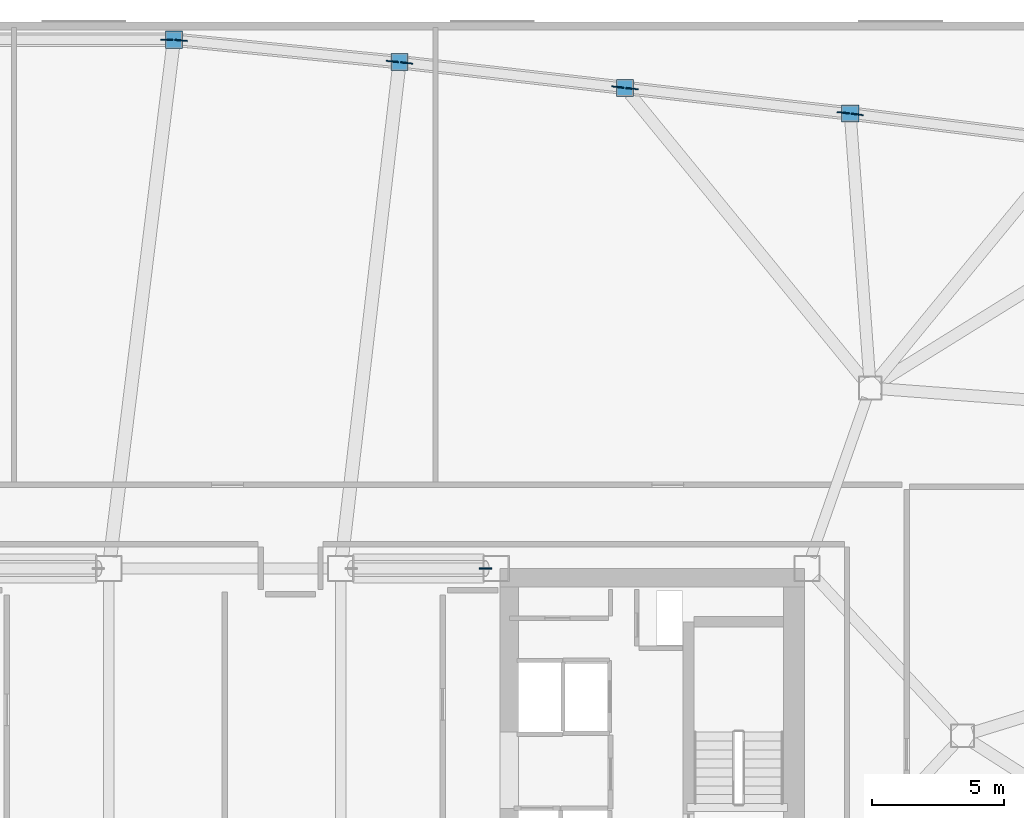
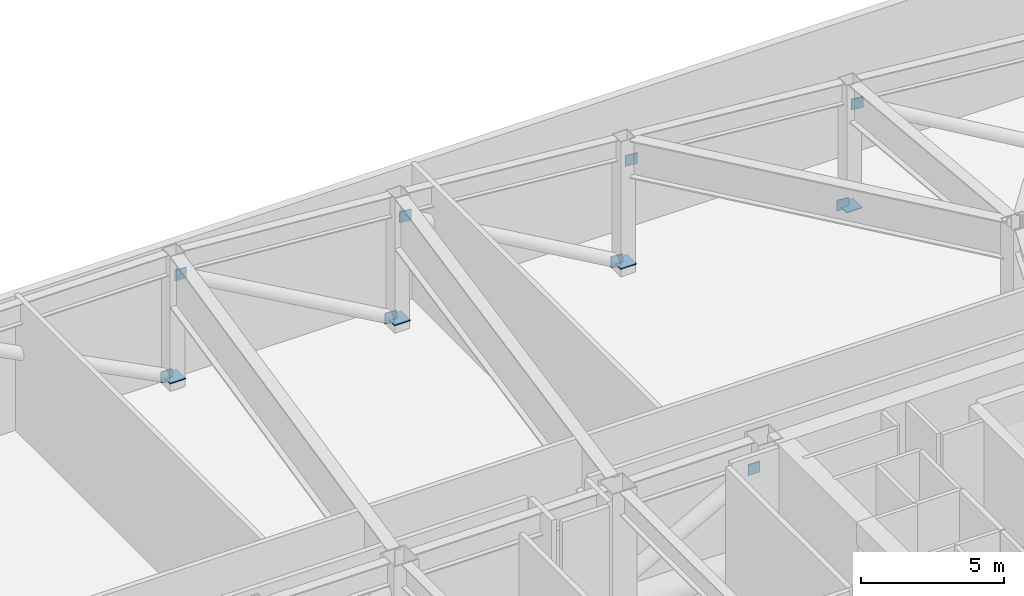
# One storey, part 10 of 12: 13 discrete accessories.
"""IFC4 building model written with IfcOpenShell, lengths in metres."""

from ifc_helpers import new_model, si_unit, direction, frame, origin, origin_2d, place, context, subcontext, project, spatial, rectangle, extrude, material, type_object, element, save


model = new_model("IFC4")

# Units and contexts
model_context = context("Model", 3, precision=1e-05, world=origin(), true_north=direction((0.0, 1.0)))
body_context = subcontext(model_context, "Body", "Model", "MODEL_VIEW")
ifc_project = project(units=[si_unit("LENGTHUNIT", "METRE"), si_unit("AREAUNIT", "SQUARE_METRE"), si_unit("VOLUMEUNIT", "CUBIC_METRE"), si_unit("PLANEANGLEUNIT", "RADIAN"), si_unit("MASSUNIT", "GRAM", prefix="KILO")], contexts=[model_context])

# Site, building, storey
site_placement = place(None, origin())
site = spatial("IfcSite", under=ifc_project, at=site_placement, CompositionType="ELEMENT")
building_placement = place(site_placement, origin())
building = spatial("IfcBuilding", under=site, at=building_placement, Name="Tavrogorsk Clinical Tower", CompositionType="ELEMENT")
storey_placement = place(building_placement, frame((0.0, 0.0, 146.199951171875)))
storey = spatial("IfcBuildingStorey", under=building, at=storey_placement, Name="L33", CompositionType="ELEMENT", Elevation=146.199951171875)

# Discrete accessories
ifc_material_1 = material(Name="Structural steel S440", Category="steel")
discrete_accessory_type_1 = type_object("IfcDiscreteAccessoryType", Name="GussetPlateBracket_25", PredefinedType="BRACKET", material=ifc_material_1)
for number, where, z_axis, x_axis, name in (
    (1, (24.0087890625, 23.583984375, 4.417724609375), (0.0, 0.0, 1.0), (-0.992353495299, 0.123428280263, 0.0), "L33 Brace Gusset Plate EXOBELT-L33-14-B"),
    (2, (23.4658203125, 23.648681640625, 0.26123046875), (0.0, 0.0, 1.0), (-0.993571855677, 0.113203213768, 0.0), "L33 Brace Gusset Plate EXOBELT-L33-15-A"),
    (3, (15.4580078125, 24.561279296875, 4.4189453125), (0.0, 0.0, 1.0), (-0.993571855677, 0.113203213768, 0.0), "L33 Brace Gusset Plate EXOBELT-L33-15-B"),
    (4, (14.9140625, 24.623291015625, 0.26123046875), (0.0, 0.0, 1.0), (-0.993571855677, 0.113203213768, 0.0), "L33 Brace Gusset Plate EXOBELT-L33-16-A"),
    (5, (6.90625, 25.53564453125, 4.4189453125), (0.0, 0.0, 1.0), (-0.993571855677, 0.113203213768, 0.0), "L33 Brace Gusset Plate EXOBELT-L33-16-B"),
    (6, (6.36181640625, 25.59375, 0.26123046875), (0.0, 0.0, 1.0), (-0.995072889372, 0.099146078272, 0.0), "L33 Brace Gusset Plate EXOBELT-L33-17-A"),
    (7, (-1.658935546875, 26.392822265625, 4.4189453125), (0.0, 0.0, 1.0), (-0.995072889372, 0.099146078272, 0.0), "L33 Brace Gusset Plate EXOBELT-L33-17-B"),
    (8, (-2.20556640625, 26.419921875, 0.260498046875), (0.0, 0.0, 1.0), (-1.0, 0.0, 0.0), "L33 Brace Gusset Plate EXOBELT-L33-18-A"),
    (9, (9.89599609375, 6.35009765625, 4.240234375), (0.0, 0.0, 1.0), (1.0, 0.0, 0.0), "L33 Brace Gusset Plate ORDG-L33-04-B"),
):
    element("IfcDiscreteAccessory", number, at=place(storey_placement, frame(where, z_axis=z_axis, x_axis=x_axis)), inside=storey, type_object=discrete_accessory_type_1, Name=name, PredefinedType="BRACKET", context=body_context, shape_type="SweptSolid", body=[
        extrude(rectangle(XDim=0.4599609375, YDim=0.0400390625, at=origin_2d()), origin(), (0.0, 0.0, 1.0), 0.4599609375),
    ])
ifc_material_2 = material(Name="Structural steel S440", Category="steel")
discrete_accessory_type_2 = type_object("IfcDiscreteAccessoryType", Name="TrussEndCapBracket", PredefinedType="BRACKET", material=ifc_material_2)
for number, where, z_axis, x_axis, name in (
    (10, (23.73779296875, 23.617919921875, 0.330078125), (0.0, 0.0, 1.0), (1.0, 0.0, 0.0), "L33 Hollow Node End Cap N2"),
    (11, (15.18603515625, 24.59228515625, 0.330078125), (0.0, 0.0, 1.0), (1.0, 0.0, 0.0), "L33 Hollow Node End Cap N3"),
    (12, (6.63427734375, 25.566650390625, 0.330078125), (0.0, 0.0, 1.0), (1.0, 0.0, 0.0), "L33 Hollow Node End Cap N4"),
    (13, (-1.931396484375, 26.419921875, 0.330078125), (0.0, 0.0, 1.0), (1.0, 0.0, 0.0), "L33 Hollow Node End Cap N5"),
):
    element("IfcDiscreteAccessory", number, at=place(storey_placement, frame(where, z_axis=z_axis, x_axis=x_axis)), inside=storey, type_object=discrete_accessory_type_2, Name=name, PredefinedType="BRACKET", context=body_context, shape_type="SweptSolid", body=[
        extrude(rectangle(XDim=0.64990234375, YDim=0.64990234375, at=origin_2d()), origin(), (0.0, 0.0, 1.0), 0.0400390625),
    ])

save(model, "model.ifc")
